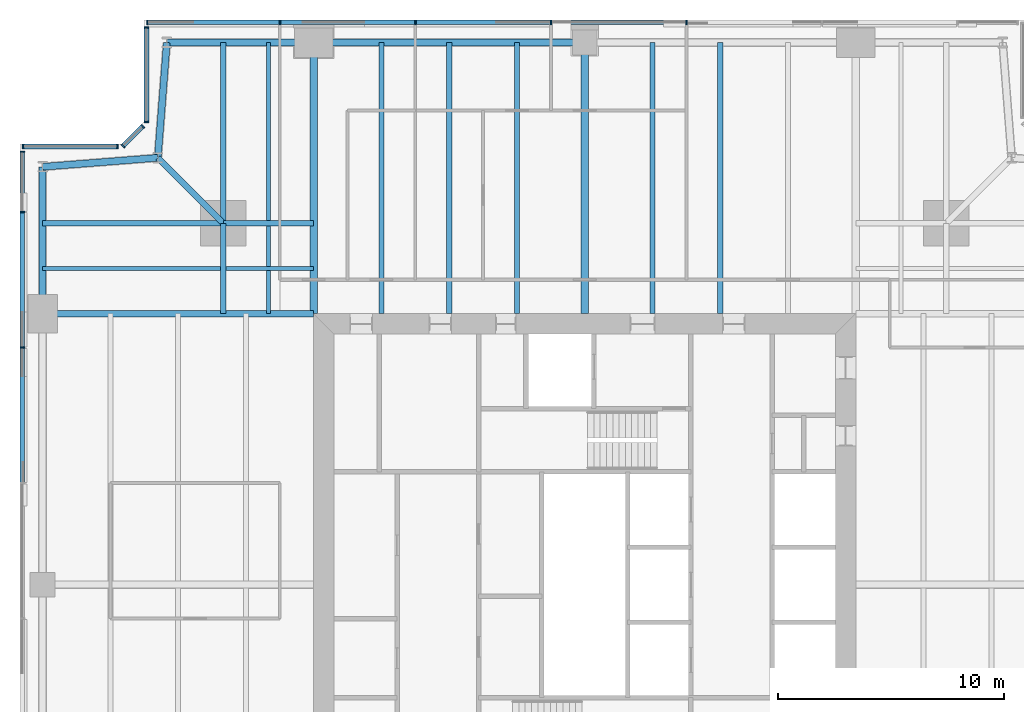
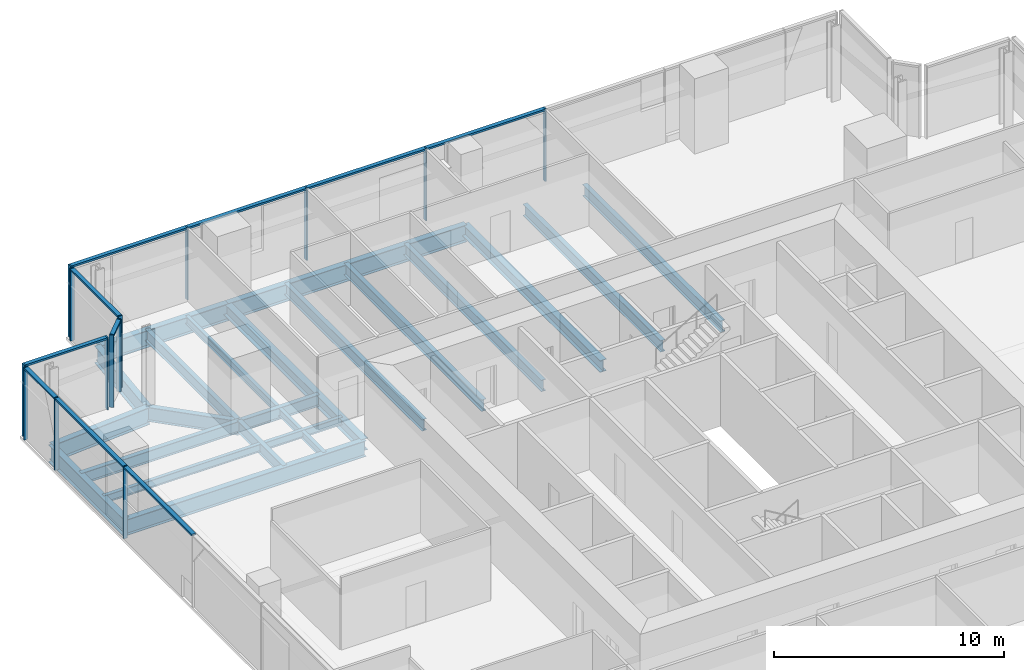
# One storey, part 6 of 14: 24 members, 23 beams, 5 elements without a shape of their own.
"""IFC4 building model written with IfcOpenShell, lengths in metres."""

from ifc_helpers import new_model, si_unit, direction, frame, origin, origin_2d, place, context, subcontext, project, spatial, rectangle, i_section, extrude, material, material_profile, profile_set, type_object, element, aggregate, save


model = new_model("IFC4")

# Units and contexts
model_context = context("Model", 3, precision=1e-05, world=origin(), true_north=direction((0.0, 1.0)))
body_context = subcontext(model_context, "Body", "Model", "MODEL_VIEW")
ifc_project = project(units=[si_unit("LENGTHUNIT", "METRE"), si_unit("AREAUNIT", "SQUARE_METRE"), si_unit("VOLUMEUNIT", "CUBIC_METRE"), si_unit("PLANEANGLEUNIT", "RADIAN"), si_unit("MASSUNIT", "GRAM", prefix="KILO")], contexts=[model_context])

# Site, building, storey
site_placement = place(None, origin())
site = spatial("IfcSite", under=ifc_project, at=site_placement, CompositionType="ELEMENT")
building_placement = place(site_placement, origin())
building = spatial("IfcBuilding", under=site, at=building_placement, Name="Fenwick Lantern Interchange", CompositionType="ELEMENT")
storey_placement = place(building_placement, frame((0.0, 0.0, 205.800048828125)))
storey = spatial("IfcBuildingStorey", under=building, at=storey_placement, Name="L48", CompositionType="ELEMENT", Elevation=205.800048828125)

# Beams
ifc_material_1 = material(Name="Steel ASTM A992 Grade 50", Category="steel")
ifc_material_profile_1 = material_profile(ifc_material_1, i_section(OverallWidth=0.3046875, OverallDepth=0.911865234375, WebThickness=0.015869140625, FlangeThickness=0.02392578125, at=origin_2d()), Name="W36X150")
ifc_profile_set_1 = profile_set([ifc_material_profile_1], Name="Steel ASTM A992 Grade 50")
beam_type_1 = type_object("IfcBeamType", Name="EDGE BEAM W36X150", PredefinedType="SPANDREL", material=ifc_profile_set_1)
beam_1_placement = place(storey_placement, frame((25.0, 49.0, -0.60595703125), z_axis=(-1.0, 0.0, 0.0), x_axis=(0.0, -1.0, 0.0)))
element("IfcBeam", 1, at=beam_1_placement, inside=storey, type_object=beam_type_1, Name="L48/FR/N/EB3", PredefinedType="SPANDREL", context=body_context, shape_type="SweptSolid", body=[
    extrude(i_section(OverallWidth=0.3046875, OverallDepth=0.911865234375, WebThickness=0.015869140625, FlangeThickness=0.02392578125, at=origin_2d()), origin(), (0.0, 0.0, 1.0), 12.0),
])
beam_2_placement = place(storey_placement, frame((13.0, 49.0, -0.60595703125), z_axis=(-1.0, 0.0, 0.0), x_axis=(0.0, -1.0, 0.0)))
element("IfcBeam", 2, at=beam_2_placement, inside=storey, type_object=beam_type_1, Name="L48/FR/N/EB4", PredefinedType="SPANDREL", context=body_context, shape_type="SweptSolid", body=[
    extrude(i_section(OverallWidth=0.3046875, OverallDepth=0.911865234375, WebThickness=0.015869140625, FlangeThickness=0.02392578125, at=origin_2d()), origin(), (0.0, 0.0, 1.0), 6.5),
])
for number, where, z_axis, x_axis, name in (
    (3, (6.5, 49.0, -0.60595703125), (-0.078170784639, -0.99693998236, 0.0), (0.99693998236, -0.078170784639, 0.0), "L48/FR/N/EBR1"),
    (4, (6.10009765625, 43.89990234375, -0.60595703125), (-0.99693998236, -0.078170784639, 0.0), (0.078170784639, -0.99693998236, 0.0), "L48/FR/N/EBR2"),
):
    element("IfcBeam", number, at=place(storey_placement, frame(where, z_axis=z_axis, x_axis=x_axis)), inside=storey, type_object=beam_type_1, Name=name, PredefinedType="SPANDREL", context=body_context, shape_type="SweptSolid", body=[
        extrude(i_section(OverallWidth=0.3046875, OverallDepth=0.911865234375, WebThickness=0.015869140625, FlangeThickness=0.02392578125, at=origin_2d()), origin(), (0.0, 0.0, 1.0), 5.11572265625),
    ])
beam_3_placement = place(storey_placement, frame((1.0, 43.5, -0.60595703125), z_axis=(0.0, -1.0, 0.0), x_axis=(1.0, 0.0, 0.0)))
element("IfcBeam", 5, at=beam_3_placement, inside=storey, type_object=beam_type_1, Name="L48/FR/W/EB1", PredefinedType="SPANDREL", context=body_context, shape_type="SweptSolid", body=[
    extrude(i_section(OverallWidth=0.3046875, OverallDepth=0.911865234375, WebThickness=0.015869140625, FlangeThickness=0.02392578125, at=origin_2d()), origin(), (0.0, 0.0, 1.0), 6.5),
])
ifc_material_profile_2 = material_profile(ifc_material_1, i_section(OverallWidth=0.22900390625, OverallDepth=0.612060546875, WebThickness=0.011962890625, FlangeThickness=0.01953125, at=origin_2d()), Name="W24X84")
ifc_profile_set_2 = profile_set([ifc_material_profile_2], Name="Steel ASTM A992 Grade 50")
beam_type_2 = type_object("IfcBeamType", Name="FLOOR BEAM W24X84", PredefinedType="BEAM", material=ifc_profile_set_2)
for number, where, z_axis, x_axis, name in (
    (6, (31.0, 49.0, -0.4560546875), (0.0, -1.0, 0.0), (1.0, 0.0, 0.0), "L48/FR/N/R03"),
    (7, (28.0, 49.0, -0.4560546875), (0.0, -1.0, 0.0), (1.0, 0.0, 0.0), "L48/FR/N/R04"),
    (8, (22.0, 49.0, -0.4560546875), (0.0, -1.0, 0.0), (1.0, 0.0, 0.0), "L48/FR/N/R06"),
    (9, (19.0, 49.0, -0.4560546875), (0.0, -1.0, 0.0), (1.0, 0.0, 0.0), "L48/FR/N/R07"),
    (10, (16.0, 49.0, -0.4560546875), (0.0, -1.0, 0.0), (1.0, 0.0, 0.0), "L48/FR/N/R08"),
):
    element("IfcBeam", number, at=place(storey_placement, frame(where, z_axis=z_axis, x_axis=x_axis)), inside=storey, type_object=beam_type_2, Name=name, PredefinedType="BEAM", context=body_context, shape_type="SweptSolid", body=[
        extrude(i_section(OverallWidth=0.22900390625, OverallDepth=0.612060546875, WebThickness=0.011962890625, FlangeThickness=0.01953125, at=origin_2d()), origin(), (0.0, 0.0, 1.0), 12.0),
    ])
ifc_material_profile_3 = material_profile(ifc_material_1, i_section(OverallWidth=0.177734375, OverallDepth=0.406494140625, WebThickness=0.0078125, FlangeThickness=0.012939453125, at=origin_2d()), Name="W16X40")
ifc_profile_set_3 = profile_set([ifc_material_profile_3], Name="Steel ASTM A992 Grade 50")
beam_type_3 = type_object("IfcBeamType", Name="INFILL BEAM W16X40", PredefinedType="JOIST", material=ifc_profile_set_3)
beam_4_placement = place(storey_placement, frame((1.0, 39.0, -0.353271484375), z_axis=(1.0, 0.0, 0.0), x_axis=(0.0, 1.0, 0.0)))
element("IfcBeam", 11, at=beam_4_placement, inside=storey, type_object=beam_type_3, Name="L48/FR/W/J1", PredefinedType="JOIST", context=body_context, shape_type="SweptSolid", body=[
    extrude(i_section(OverallWidth=0.177734375, OverallDepth=0.406494140625, WebThickness=0.0078125, FlangeThickness=0.012939453125, at=origin_2d()), origin(), (0.0, 0.0, 1.0), 7.885498046875),
])
beam_5_placement = place(storey_placement, frame((9.114501953125, 39.0, -0.353271484375), z_axis=(1.0, 0.0, 0.0), x_axis=(0.0, 1.0, 0.0)))
element("IfcBeam", 12, at=beam_5_placement, inside=storey, type_object=beam_type_3, Name="L48/FR/W/J2", PredefinedType="JOIST", context=body_context, shape_type="SweptSolid", body=[
    extrude(i_section(OverallWidth=0.177734375, OverallDepth=0.406494140625, WebThickness=0.0078125, FlangeThickness=0.012939453125, at=origin_2d()), origin(), (0.0, 0.0, 1.0), 3.885498046875),
])
beam_6_placement = place(storey_placement, frame((11.0, 49.0, -0.353271484375), z_axis=(0.0, -1.0, 0.0), x_axis=(1.0, 0.0, 0.0)))
element("IfcBeam", 13, at=beam_6_placement, inside=storey, type_object=beam_type_3, Name="L48/FR/W/J3", PredefinedType="JOIST", context=body_context, shape_type="SweptSolid", body=[
    extrude(i_section(OverallWidth=0.177734375, OverallDepth=0.406494140625, WebThickness=0.0078125, FlangeThickness=0.012939453125, at=origin_2d()), origin(), (0.0, 0.0, 1.0), 7.885498046875),
])
beam_7_placement = place(storey_placement, frame((11.0, 40.885498046875, -0.353271484375), z_axis=(0.0, -1.0, 0.0), x_axis=(1.0, 0.0, 0.0)))
element("IfcBeam", 14, at=beam_7_placement, inside=storey, type_object=beam_type_3, Name="L48/FR/W/J4", PredefinedType="JOIST", context=body_context, shape_type="SweptSolid", body=[
    extrude(i_section(OverallWidth=0.177734375, OverallDepth=0.406494140625, WebThickness=0.0078125, FlangeThickness=0.012939453125, at=origin_2d()), origin(), (0.0, 0.0, 1.0), 1.796630859375),
])
beam_8_placement = place(storey_placement, frame((11.0, 38.9111328125, -0.353271484375), z_axis=(0.0, -1.0, 0.0), x_axis=(1.0, 0.0, 0.0)))
element("IfcBeam", 15, at=beam_8_placement, inside=storey, type_object=beam_type_3, Name="L48/FR/W/J5", PredefinedType="JOIST", context=body_context, shape_type="SweptSolid", body=[
    extrude(i_section(OverallWidth=0.177734375, OverallDepth=0.406494140625, WebThickness=0.0078125, FlangeThickness=0.012939453125, at=origin_2d()), origin(), (0.0, 0.0, 1.0), 1.9111328125),
])
ifc_material_profile_4 = material_profile(ifc_material_1, i_section(OverallWidth=0.22900390625, OverallDepth=0.612060546875, WebThickness=0.011962890625, FlangeThickness=0.01953125, at=origin_2d()), Name="W24X84")
ifc_profile_set_4 = profile_set([ifc_material_profile_4], Name="Steel ASTM A992 Grade 50")
beam_type_4 = type_object("IfcBeamType", Name="MEGA COLUMN BEAM W24X84", PredefinedType="BEAM", material=ifc_profile_set_4)
for number, where, z_axis, x_axis, name in (
    (16, (9.0, 41.0, -0.4560546875), (-1.0, 0.0, 0.0), (0.0, -1.0, 0.0), "L48/FR/W/MB1"),
    (17, (9.0, 41.0, -0.4560546875), (0.0, 1.0, 0.0), (-1.0, 0.0, 0.0), "L48/FR/W/MB2"),
):
    element("IfcBeam", number, at=place(storey_placement, frame(where, z_axis=z_axis, x_axis=x_axis)), inside=storey, type_object=beam_type_4, Name=name, PredefinedType="BEAM", context=body_context, shape_type="SweptSolid", body=[
        extrude(i_section(OverallWidth=0.22900390625, OverallDepth=0.612060546875, WebThickness=0.011962890625, FlangeThickness=0.01953125, at=origin_2d()), origin(), (0.0, 0.0, 1.0), 8.0),
    ])
for number, where, z_axis, x_axis, name in (
    (18, (9.0, 41.0, -0.4560546875), (0.0, -1.0, 0.0), (1.0, 0.0, 0.0), "L48/FR/W/MB3"),
    (19, (9.0, 41.0, -0.4560546875), (1.0, 0.0, 0.0), (0.0, 1.0, 0.0), "L48/FR/W/MB4"),
):
    element("IfcBeam", number, at=place(storey_placement, frame(where, z_axis=z_axis, x_axis=x_axis)), inside=storey, type_object=beam_type_4, Name=name, PredefinedType="BEAM", context=body_context, shape_type="SweptSolid", body=[
        extrude(i_section(OverallWidth=0.22900390625, OverallDepth=0.612060546875, WebThickness=0.011962890625, FlangeThickness=0.01953125, at=origin_2d()), origin(), (0.0, 0.0, 1.0), 4.0),
    ])
ifc_material_profile_5 = material_profile(ifc_material_1, i_section(OverallWidth=0.32763671875, OverallDepth=0.622314453125, WebThickness=0.015380859375, FlangeThickness=0.0244140625, at=origin_2d()), Name="W24X131")
ifc_profile_set_5 = profile_set([ifc_material_profile_5], Name="Steel ASTM A992 Grade 50")
beam_type_5 = type_object("IfcBeamType", Name="MOMENT-CONNECTED GIRDER W24X131", PredefinedType="BEAM", material=ifc_profile_set_5)
for number, where, z_axis, x_axis, name in (
    (20, (25.0, 49.0, -0.461181640625), (0.0, -1.0, 0.0), (1.0, 0.0, 0.0), "L48/FR/N/R05"),
    (21, (13.0, 49.0, -0.461181640625), (0.0, -1.0, 0.0), (1.0, 0.0, 0.0), "L48/FR/N/R09"),
):
    element("IfcBeam", number, at=place(storey_placement, frame(where, z_axis=z_axis, x_axis=x_axis)), inside=storey, type_object=beam_type_5, Name=name, PredefinedType="BEAM", context=body_context, shape_type="SweptSolid", body=[
        extrude(i_section(OverallWidth=0.32763671875, OverallDepth=0.622314453125, WebThickness=0.015380859375, FlangeThickness=0.0244140625, at=origin_2d()), origin(), (0.0, 0.0, 1.0), 12.0),
    ])
ifc_material_profile_6 = material_profile(ifc_material_1, i_section(OverallWidth=0.2919921875, OverallDepth=0.845703125, WebThickness=0.015380859375, FlangeThickness=0.0244140625, at=origin_2d()), Name="W33X141")
ifc_profile_set_6 = profile_set([ifc_material_profile_6], Name="Steel ASTM A992 Grade 50")
beam_type_6 = type_object("IfcBeamType", Name="MOMENT-CONNECTED GIRDER W33X141", PredefinedType="BEAM", material=ifc_profile_set_6)
beam_9_placement = place(storey_placement, frame((1.0, 37.0, -0.572998046875), z_axis=(1.0, 0.0, 0.0), x_axis=(0.0, 1.0, 0.0)))
element("IfcBeam", 22, at=beam_9_placement, inside=storey, type_object=beam_type_6, Name="L48/FR/W/R01", PredefinedType="BEAM", context=body_context, shape_type="SweptSolid", body=[
    extrude(i_section(OverallWidth=0.2919921875, OverallDepth=0.845703125, WebThickness=0.015380859375, FlangeThickness=0.0244140625, at=origin_2d()), origin(), (0.0, 0.0, 1.0), 12.0),
])
ifc_material_profile_7 = material_profile(ifc_material_1, i_section(OverallWidth=0.2666015625, OverallDepth=0.7568359375, WebThickness=0.013916015625, FlangeThickness=0.019287109375, at=origin_2d()), Name="W30X108")
ifc_profile_set_7 = profile_set([ifc_material_profile_7], Name="Steel ASTM A992 Grade 50")
beam_type_7 = type_object("IfcBeamType", Name="NOTCH BEAM W30X108", PredefinedType="BEAM", material=ifc_profile_set_7)
beam_10_placement = place(storey_placement, frame((9.0, 41.0, -0.528564453125), z_axis=(-0.707106781187, 0.707106781187, 0.0), x_axis=(-0.707106781187, -0.707106781187, 0.0)))
element("IfcBeam", 23, at=beam_10_placement, inside=storey, type_object=beam_type_7, Name="L48/FR/W/TG", PredefinedType="BEAM", context=body_context, shape_type="SweptSolid", body=[
    extrude(i_section(OverallWidth=0.2666015625, OverallDepth=0.7568359375, WebThickness=0.013916015625, FlangeThickness=0.019287109375, at=origin_2d()), origin(), (0.0, 0.0, 1.0), 4.10107421875),
])

# Curtain wall, members
ifc_material_2 = material(Name="Aluminium curtain wall frame", Category="aluminium")
curtain_wall_type = type_object("IfcCurtainWallType", Name="OFFICE CURTAIN WALL", PredefinedType="USERDEFINED", material=ifc_material_2)
curtain_wall_1_placement = place(storey_placement, origin())
curtain_wall_1 = element("IfcCurtainWall", 24, at=curtain_wall_1_placement, inside=storey, type_object=curtain_wall_type, Name="Office curtain wall 09", ObjectType="OFFICE CURTAIN WALL", PredefinedType="USERDEFINED")
ifc_material_3 = material(Name="Aluminium extrusion", Category="aluminium")
ifc_material_profile_8 = material_profile(ifc_material_3, rectangle(XDim=0.199951171875, YDim=0.06494140625, at=origin_2d()), Name="OFFICE CURTAIN WALL MULLION 65 X 200")
ifc_profile_set_8 = profile_set([ifc_material_profile_8], Name="Aluminium extrusion")
member_type_1 = type_object("IfcMemberType", Name="OFFICE CURTAIN WALL MULLION 65 X 200", PredefinedType="MULLION", material=ifc_profile_set_8)
member_1_placement = place(storey_placement, frame((29.5, 49.89990234375, 0.0), z_axis=(0.0, 0.0, 1.0), x_axis=(0.0, -1.0, 0.0)))
member_1 = element("IfcMember", 25, at=member_1_placement, type_object=member_type_1, Name="L48/CW/09/M03", PredefinedType="MULLION", context=body_context, shape_type="SweptSolid", body=[
    extrude(rectangle(XDim=0.199951171875, YDim=0.06494140625, at=origin_2d()), origin(), (0.0, 0.0, 1.0), 3.849853515625),
])
member_2_placement = place(storey_placement, frame((23.5, 49.89990234375, 0.0), z_axis=(0.0, 0.0, 1.0), x_axis=(0.0, -1.0, 0.0)))
member_2 = element("IfcMember", 26, at=member_2_placement, type_object=member_type_1, Name="L48/CW/09/M04", PredefinedType="MULLION", context=body_context, shape_type="SweptSolid", body=[
    extrude(rectangle(XDim=0.199951171875, YDim=0.06494140625, at=origin_2d()), origin(), (0.0, 0.0, 1.0), 3.849853515625),
])
member_3_placement = place(storey_placement, frame((17.5, 49.89990234375, 0.0), z_axis=(0.0, 0.0, 1.0), x_axis=(0.0, -1.0, 0.0)))
member_3 = element("IfcMember", 27, at=member_3_placement, type_object=member_type_1, Name="L48/CW/09/M05", PredefinedType="MULLION", context=body_context, shape_type="SweptSolid", body=[
    extrude(rectangle(XDim=0.199951171875, YDim=0.06494140625, at=origin_2d()), origin(), (0.0, 0.0, 1.0), 3.849853515625),
])
member_4_placement = place(storey_placement, frame((11.5, 49.89990234375, 0.0), z_axis=(0.0, 0.0, 1.0), x_axis=(0.0, -1.0, 0.0)))
member_4 = element("IfcMember", 28, at=member_4_placement, type_object=member_type_1, Name="L48/CW/09/M06", PredefinedType="MULLION", context=body_context, shape_type="SweptSolid", body=[
    extrude(rectangle(XDim=0.199951171875, YDim=0.06494140625, at=origin_2d()), origin(), (0.0, 0.0, 1.0), 3.849853515625),
])
member_5_placement = place(storey_placement, frame((5.632568359375, 49.89990234375, 0.0), z_axis=(0.0, 0.0, 1.0), x_axis=(0.0, -1.0, 0.0)))
member_5 = element("IfcMember", 29, at=member_5_placement, type_object=member_type_1, Name="L48/CW/09/M07", PredefinedType="MULLION", context=body_context, shape_type="SweptSolid", body=[
    extrude(rectangle(XDim=0.199951171875, YDim=0.06494140625, at=origin_2d()), origin(), (0.0, 0.0, 1.0), 3.849853515625),
])

curtain_wall_2_placement = place(storey_placement, origin())
curtain_wall_2 = element("IfcCurtainWall", 30, at=curtain_wall_2_placement, inside=storey, type_object=curtain_wall_type, Name="Office curtain wall 10", ObjectType="OFFICE CURTAIN WALL", PredefinedType="USERDEFINED")
member_6_placement = place(storey_placement, frame((5.60009765625, 49.66748046875, 0.0), z_axis=(0.0, 0.0, 1.0), x_axis=(1.0, 0.0, 0.0)))
member_6 = element("IfcMember", 31, at=member_6_placement, type_object=member_type_1, Name="L48/CW/10/M00", PredefinedType="MULLION", context=body_context, shape_type="SweptSolid", body=[
    extrude(rectangle(XDim=0.199951171875, YDim=0.06494140625, at=origin_2d()), origin(), (0.0, 0.0, 1.0), 3.849853515625),
])
member_7_placement = place(storey_placement, frame((5.60009765625, 45.490966796875, 0.0), z_axis=(0.0, 0.0, 1.0), x_axis=(1.0, 0.0, 0.0)))
member_7 = element("IfcMember", 32, at=member_7_placement, type_object=member_type_1, Name="L48/CW/10/M01", PredefinedType="MULLION", context=body_context, shape_type="SweptSolid", body=[
    extrude(rectangle(XDim=0.199951171875, YDim=0.06494140625, at=origin_2d()), origin(), (0.0, 0.0, 1.0), 3.849853515625),
])

curtain_wall_3_placement = place(storey_placement, origin())
curtain_wall_3 = element("IfcCurtainWall", 33, at=curtain_wall_3_placement, inside=storey, type_object=curtain_wall_type, Name="Office curtain wall 11", ObjectType="OFFICE CURTAIN WALL", PredefinedType="USERDEFINED")
member_8_placement = place(storey_placement, frame((5.435546875, 45.294189453125, 0.0), z_axis=(0.0, 0.0, 1.0), x_axis=(0.707106781187, -0.707106781187, 0.0)))
member_8 = element("IfcMember", 34, at=member_8_placement, type_object=member_type_1, Name="L48/CW/11/M00", PredefinedType="MULLION", context=body_context, shape_type="SweptSolid", body=[
    extrude(rectangle(XDim=0.199951171875, YDim=0.06494140625, at=origin_2d()), origin(), (0.0, 0.0, 1.0), 3.849853515625),
])
member_9_placement = place(storey_placement, frame((4.564453125, 44.423095703125, 0.0), z_axis=(0.0, 0.0, 1.0), x_axis=(0.707106781187, -0.707106781187, 0.0)))
member_9 = element("IfcMember", 35, at=member_9_placement, type_object=member_type_1, Name="L48/CW/11/M01", PredefinedType="MULLION", context=body_context, shape_type="SweptSolid", body=[
    extrude(rectangle(XDim=0.199951171875, YDim=0.06494140625, at=origin_2d()), origin(), (0.0, 0.0, 1.0), 3.849853515625),
])

curtain_wall_4_placement = place(storey_placement, origin())
curtain_wall_4 = element("IfcCurtainWall", 36, at=curtain_wall_4_placement, inside=storey, type_object=curtain_wall_type, Name="Office curtain wall 12", ObjectType="OFFICE CURTAIN WALL", PredefinedType="USERDEFINED")
member_10_placement = place(storey_placement, frame((4.308837890625, 44.39990234375, 0.0), z_axis=(0.0, 0.0, 1.0), x_axis=(0.0, -1.0, 0.0)))
member_10 = element("IfcMember", 37, at=member_10_placement, type_object=member_type_1, Name="L48/CW/12/M00", PredefinedType="MULLION", context=body_context, shape_type="SweptSolid", body=[
    extrude(rectangle(XDim=0.199951171875, YDim=0.06494140625, at=origin_2d()), origin(), (0.0, 0.0, 1.0), 3.849853515625),
])
member_11_placement = place(storey_placement, frame((0.132568359375, 44.39990234375, 0.0), z_axis=(0.0, 0.0, 1.0), x_axis=(0.0, -1.0, 0.0)))
member_11 = element("IfcMember", 38, at=member_11_placement, type_object=member_type_1, Name="L48/CW/12/M01", PredefinedType="MULLION", context=body_context, shape_type="SweptSolid", body=[
    extrude(rectangle(XDim=0.199951171875, YDim=0.06494140625, at=origin_2d()), origin(), (0.0, 0.0, 1.0), 3.849853515625),
])

curtain_wall_5_placement = place(storey_placement, origin())
curtain_wall_5 = element("IfcCurtainWall", 39, at=curtain_wall_5_placement, inside=storey, type_object=curtain_wall_type, Name="Office curtain wall 13", ObjectType="OFFICE CURTAIN WALL", PredefinedType="USERDEFINED")
member_12_placement = place(storey_placement, frame((0.10009765625, 44.16748046875, 0.0), z_axis=(0.0, 0.0, 1.0), x_axis=(1.0, 0.0, 0.0)))
member_12 = element("IfcMember", 40, at=member_12_placement, type_object=member_type_1, Name="L48/CW/13/M00", PredefinedType="MULLION", context=body_context, shape_type="SweptSolid", body=[
    extrude(rectangle(XDim=0.199951171875, YDim=0.06494140625, at=origin_2d()), origin(), (0.0, 0.0, 1.0), 3.849853515625),
])
member_13_placement = place(storey_placement, frame((0.10009765625, 41.5, 0.0), z_axis=(0.0, 0.0, 1.0), x_axis=(1.0, 0.0, 0.0)))
member_13 = element("IfcMember", 41, at=member_13_placement, type_object=member_type_1, Name="L48/CW/13/M01", PredefinedType="MULLION", context=body_context, shape_type="SweptSolid", body=[
    extrude(rectangle(XDim=0.199951171875, YDim=0.06494140625, at=origin_2d()), origin(), (0.0, 0.0, 1.0), 3.849853515625),
])
member_14_placement = place(storey_placement, frame((0.10009765625, 35.5, 0.0), z_axis=(0.0, 0.0, 1.0), x_axis=(1.0, 0.0, 0.0)))
member_14 = element("IfcMember", 42, at=member_14_placement, type_object=member_type_1, Name="L48/CW/13/M02", PredefinedType="MULLION", context=body_context, shape_type="SweptSolid", body=[
    extrude(rectangle(XDim=0.199951171875, YDim=0.06494140625, at=origin_2d()), origin(), (0.0, 0.0, 1.0), 3.849853515625),
])

# Member
ifc_material_profile_9 = material_profile(ifc_material_3, rectangle(XDim=0.199951171875, YDim=0.10009765625, at=origin_2d()), Name="OFFICE CURTAIN WALL TRANSOM 100 X 200")
ifc_profile_set_9 = profile_set([ifc_material_profile_9], Name="Aluminium extrusion")
member_type_2 = type_object("IfcMemberType", Name="OFFICE CURTAIN WALL TRANSOM 100 X 200", PredefinedType="MULLION", material=ifc_profile_set_9)
member_15_placement = place(storey_placement, frame((29.467529296875, 49.89990234375, 3.800048828125), z_axis=(-1.0, 0.0, 0.0), x_axis=(0.0, -1.0, 0.0)))
member_15 = element("IfcMember", 43, at=member_15_placement, type_object=member_type_2, Name="L48/CW/09/T03", PredefinedType="MULLION", context=body_context, shape_type="SweptSolid", body=[
    extrude(rectangle(XDim=0.199951171875, YDim=0.10009765625, at=origin_2d()), origin(), (0.0, 0.0, 1.0), 5.93505859375),
])

member_16_placement = place(storey_placement, frame((23.467529296875, 49.89990234375, 3.800048828125), z_axis=(-1.0, 0.0, 0.0), x_axis=(0.0, -1.0, 0.0)))
member_16 = element("IfcMember", 44, at=member_16_placement, type_object=member_type_2, Name="L48/CW/09/T04", PredefinedType="MULLION", context=body_context, shape_type="SweptSolid", body=[
    extrude(rectangle(XDim=0.199951171875, YDim=0.10009765625, at=origin_2d()), origin(), (0.0, 0.0, 1.0), 5.93505859375),
])

member_17_placement = place(storey_placement, frame((17.467529296875, 49.89990234375, 3.800048828125), z_axis=(-1.0, 0.0, 0.0), x_axis=(0.0, -1.0, 0.0)))
member_17 = element("IfcMember", 45, at=member_17_placement, type_object=member_type_2, Name="L48/CW/09/T05", PredefinedType="MULLION", context=body_context, shape_type="SweptSolid", body=[
    extrude(rectangle(XDim=0.199951171875, YDim=0.10009765625, at=origin_2d()), origin(), (0.0, 0.0, 1.0), 5.93505859375),
])

member_18_placement = place(storey_placement, frame((11.467529296875, 49.89990234375, 3.800048828125), z_axis=(-1.0, 0.0, 0.0), x_axis=(0.0, -1.0, 0.0)))
member_18 = element("IfcMember", 46, at=member_18_placement, type_object=member_type_2, Name="L48/CW/09/T06", PredefinedType="MULLION", context=body_context, shape_type="SweptSolid", body=[
    extrude(rectangle(XDim=0.199951171875, YDim=0.10009765625, at=origin_2d()), origin(), (0.0, 0.0, 1.0), 5.802490234375),
])

aggregate(curtain_wall_1, [member_1, member_2, member_3, member_4, member_5, member_15, member_16, member_17, member_18])

member_19_placement = place(storey_placement, frame((5.60009765625, 49.635009765625, 3.800048828125), z_axis=(0.0, -1.0, 0.0), x_axis=(1.0, 0.0, 0.0)))
member_19 = element("IfcMember", 47, at=member_19_placement, type_object=member_type_2, Name="L48/CW/10/T00", PredefinedType="MULLION", context=body_context, shape_type="SweptSolid", body=[
    extrude(rectangle(XDim=0.199951171875, YDim=0.10009765625, at=origin_2d()), origin(), (0.0, 0.0, 1.0), 4.111328125),
])

aggregate(curtain_wall_2, [member_6, member_7, member_19])

member_20_placement = place(storey_placement, frame((5.41259765625, 45.271240234375, 3.800048828125), z_axis=(-0.707106781187, -0.707106781187, 0.0), x_axis=(0.707106781187, -0.707106781187, 0.0)))
member_20 = element("IfcMember", 48, at=member_20_placement, type_object=member_type_2, Name="L48/CW/11/T00", PredefinedType="MULLION", context=body_context, shape_type="SweptSolid", body=[
    extrude(rectangle(XDim=0.199951171875, YDim=0.10009765625, at=origin_2d()), origin(), (0.0, 0.0, 1.0), 1.1669921875),
])

aggregate(curtain_wall_3, [member_8, member_9, member_20])

member_21_placement = place(storey_placement, frame((4.2763671875, 44.39990234375, 3.800048828125), z_axis=(-1.0, 0.0, 0.0), x_axis=(0.0, -1.0, 0.0)))
member_21 = element("IfcMember", 49, at=member_21_placement, type_object=member_type_2, Name="L48/CW/12/T00", PredefinedType="MULLION", context=body_context, shape_type="SweptSolid", body=[
    extrude(rectangle(XDim=0.199951171875, YDim=0.10009765625, at=origin_2d()), origin(), (0.0, 0.0, 1.0), 4.111328125),
])

aggregate(curtain_wall_4, [member_10, member_11, member_21])

member_22_placement = place(storey_placement, frame((0.10009765625, 44.135009765625, 3.800048828125), z_axis=(0.0, -1.0, 0.0), x_axis=(1.0, 0.0, 0.0)))
member_22 = element("IfcMember", 50, at=member_22_placement, type_object=member_type_2, Name="L48/CW/13/T00", PredefinedType="MULLION", context=body_context, shape_type="SweptSolid", body=[
    extrude(rectangle(XDim=0.199951171875, YDim=0.10009765625, at=origin_2d()), origin(), (0.0, 0.0, 1.0), 2.6025390625),
])

member_23_placement = place(storey_placement, frame((0.10009765625, 41.467529296875, 3.800048828125), z_axis=(0.0, -1.0, 0.0), x_axis=(1.0, 0.0, 0.0)))
member_23 = element("IfcMember", 51, at=member_23_placement, type_object=member_type_2, Name="L48/CW/13/T01", PredefinedType="MULLION", context=body_context, shape_type="SweptSolid", body=[
    extrude(rectangle(XDim=0.199951171875, YDim=0.10009765625, at=origin_2d()), origin(), (0.0, 0.0, 1.0), 5.93505859375),
])

member_24_placement = place(storey_placement, frame((0.10009765625, 35.467529296875, 3.800048828125), z_axis=(0.0, -1.0, 0.0), x_axis=(1.0, 0.0, 0.0)))
member_24 = element("IfcMember", 52, at=member_24_placement, type_object=member_type_2, Name="L48/CW/13/T02", PredefinedType="MULLION", context=body_context, shape_type="SweptSolid", body=[
    extrude(rectangle(XDim=0.199951171875, YDim=0.10009765625, at=origin_2d()), origin(), (0.0, 0.0, 1.0), 5.93505859375),
])

aggregate(curtain_wall_5, [member_12, member_13, member_14, member_22, member_23, member_24])

save(model, "model.ifc")
